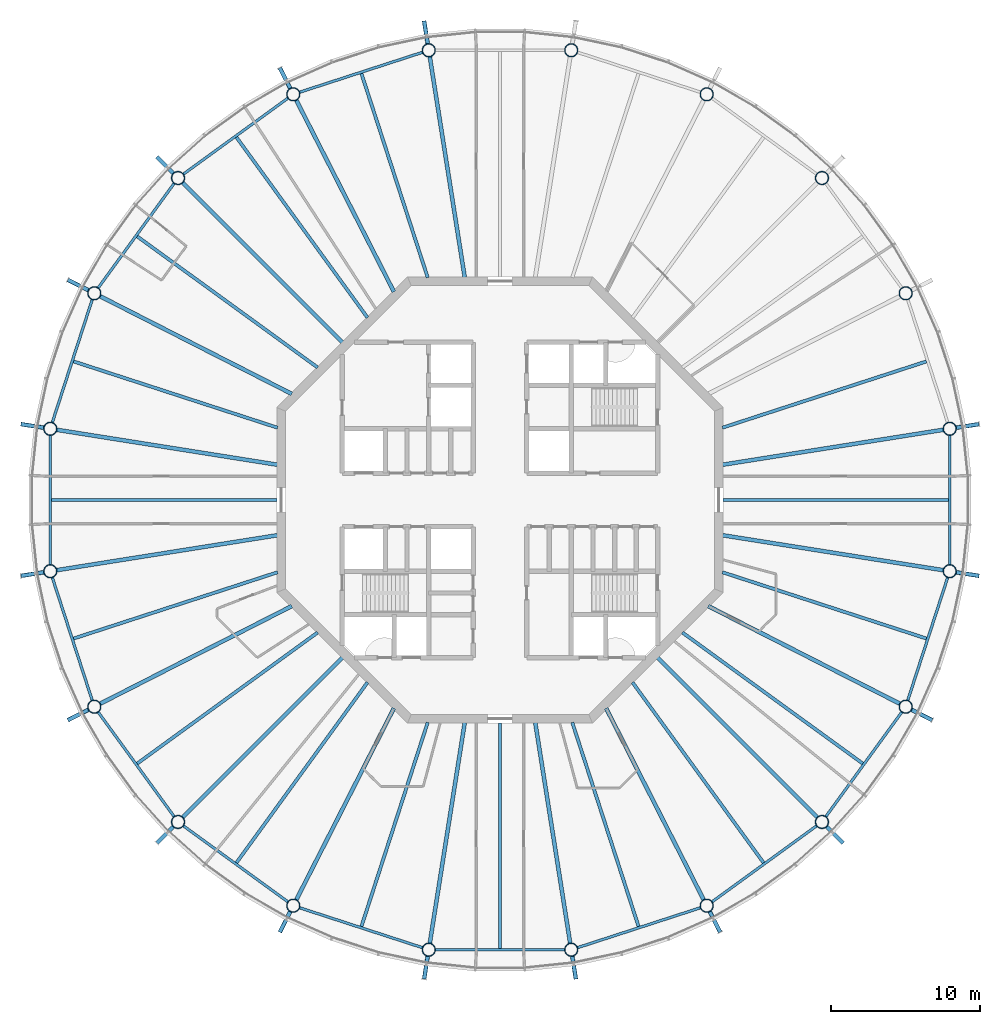
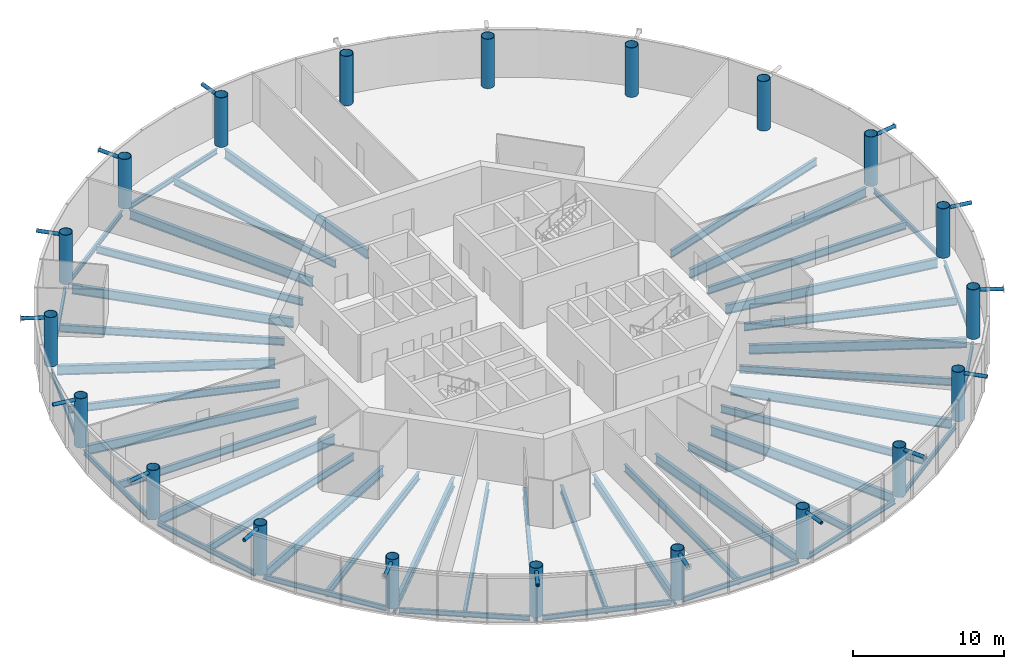
# One storey, part 1 of 19: 47 beams, 20 columns, 16 members.
"""IFC4 building model written with IfcOpenShell, lengths in metres."""

from ifc_helpers import new_model, si_unit, direction, frame, origin, origin_2d, place, context, subcontext, project, spatial, circle, hollow_circle, i_section, extrude, material, material_profile, profile_set, type_object, element, save


model = new_model("IFC4")

# Units and contexts
model_context = context("Model", 3, precision=1e-05, world=origin(), true_north=direction((0.0, 1.0)))
body_context = subcontext(model_context, "Body", "Model", "MODEL_VIEW")
ifc_project = project(units=[si_unit("LENGTHUNIT", "METRE"), si_unit("AREAUNIT", "SQUARE_METRE"), si_unit("VOLUMEUNIT", "CUBIC_METRE"), si_unit("PLANEANGLEUNIT", "RADIAN"), si_unit("MASSUNIT", "GRAM", prefix="KILO")], contexts=[model_context])

# Site, building, storey
site_placement = place(None, origin())
site = spatial("IfcSite", under=ifc_project, at=site_placement, CompositionType="ELEMENT")
building_placement = place(site_placement, origin())
building = spatial("IfcBuilding", under=site, at=building_placement, Name="Entoto Ring Tower", CompositionType="ELEMENT")
storey_placement = place(building_placement, frame((0.0, 0.0, 368.0)))
storey = spatial("IfcBuildingStorey", under=building, at=storey_placement, Name="L85", CompositionType="ELEMENT", Elevation=368.0)

# Columns
ifc_material_1 = material(Name="Steel S355", Category="steel")
ifc_material_profile_1 = material_profile(ifc_material_1, hollow_circle(Radius=0.449951171875, WallThickness=0.0400390625, at=origin_2d()), Name="CHS 900 x 40")
ifc_material_2 = material(Name="Concrete C60/75", Category="concrete")
ifc_material_profile_2 = material_profile(ifc_material_2, circle(Radius=0.409912109375, at=origin_2d()), Name="Concrete C60/75 infill")
ifc_profile_set_1 = profile_set([ifc_material_profile_1, ifc_material_profile_2], Name="Steel S355")
column_type = type_object("IfcColumnType", Name="Ring column 900 x 40 concrete-filled tube", PredefinedType="COLUMN", material=ifc_profile_set_1)
for number, where, z_axis, x_axis, name in (
    (1, (120.22314453125, 84.786865234375, 0.0), (0.0, 0.0, 1.0), (1.0, 0.0, 0.0), "RC6 R01"),
    (2, (117.264892578125, 93.89208984375, 0.0), (0.0, 0.0, 1.0), (1.0, 0.0, 0.0), "RC6 R02"),
    (3, (111.637451171875, 101.637451171875, 0.0), (0.0, 0.0, 1.0), (1.0, 0.0, 0.0), "RC6 R03"),
    (4, (103.89208984375, 107.264892578125, 0.0), (0.0, 0.0, 1.0), (1.0, 0.0, 0.0), "RC6 R04"),
    (5, (94.786865234375, 110.22314453125, 0.0), (0.0, 0.0, 1.0), (1.0, 0.0, 0.0), "RC6 R05"),
    (6, (85.213134765625, 110.22314453125, 0.0), (0.0, 0.0, 1.0), (1.0, 0.0, 0.0), "RC6 R06"),
    (7, (76.10791015625, 107.264892578125, 0.0), (0.0, 0.0, 1.0), (1.0, 0.0, 0.0), "RC6 R07"),
    (8, (68.362548828125, 101.637451171875, 0.0), (0.0, 0.0, 1.0), (1.0, 0.0, 0.0), "RC6 R08"),
    (9, (62.735107421875, 93.89208984375, 0.0), (0.0, 0.0, 1.0), (1.0, 0.0, 0.0), "RC6 R09"),
    (10, (59.77685546875, 84.786865234375, 0.0), (0.0, 0.0, 1.0), (1.0, 0.0, 0.0), "RC6 R10"),
    (11, (59.77685546875, 75.213134765625, 0.0), (0.0, 0.0, 1.0), (1.0, 0.0, 0.0), "RC6 R11"),
    (12, (62.735107421875, 66.10791015625, 0.0), (0.0, 0.0, 1.0), (1.0, 0.0, 0.0), "RC6 R12"),
    (13, (68.362548828125, 58.362548828125, 0.0), (0.0, 0.0, 1.0), (1.0, 0.0, 0.0), "RC6 R13"),
    (14, (76.10791015625, 52.735107421875, 0.0), (0.0, 0.0, 1.0), (1.0, 0.0, 0.0), "RC6 R14"),
    (15, (85.213134765625, 49.77685546875, 0.0), (0.0, 0.0, 1.0), (1.0, 0.0, 0.0), "RC6 R15"),
    (16, (94.786865234375, 49.77685546875, 0.0), (0.0, 0.0, 1.0), (1.0, 0.0, 0.0), "RC6 R16"),
    (17, (103.89208984375, 52.735107421875, 0.0), (0.0, 0.0, 1.0), (1.0, 0.0, 0.0), "RC6 R17"),
    (18, (111.637451171875, 58.362548828125, 0.0), (0.0, 0.0, 1.0), (1.0, 0.0, 0.0), "RC6 R18"),
    (19, (117.264892578125, 66.10791015625, 0.0), (0.0, 0.0, 1.0), (1.0, 0.0, 0.0), "RC6 R19"),
    (20, (120.22314453125, 75.213134765625, 0.0), (0.0, 0.0, 1.0), (1.0, 0.0, 0.0), "RC6 R20"),
):
    element("IfcColumn", number, at=place(storey_placement, frame(where, z_axis=z_axis, x_axis=x_axis)), inside=storey, type_object=column_type, Name=name, PredefinedType="COLUMN", context=body_context, shape_type="SweptSolid", body=[
        extrude(hollow_circle(Radius=0.449951171875, WallThickness=0.0400390625, at=origin_2d()), origin(), (0.0, 0.0, 1.0), 4.0),
    ])

# Members
ifc_material_3 = material(Name="Steel S355", Category="steel")
ifc_material_profile_3 = material_profile(ifc_material_3, hollow_circle(Radius=0.136474609375, WallThickness=0.012451171875, at=origin_2d()), Name="CHS 273 x 12.5")
ifc_material_4 = material(Name="Concrete C60/75", Category="concrete")
ifc_material_profile_4 = material_profile(ifc_material_4, circle(Radius=0.1240234375, at=origin_2d()), Name="Concrete C60/75 infill")
ifc_profile_set_2 = profile_set([ifc_material_profile_3, ifc_material_profile_4], Name="Steel S355")
member_type = type_object("IfcMemberType", Name="Diagrid node strut 273 x 12.5", PredefinedType="STRUT", material=ifc_profile_set_2)
for number, where, z_axis, x_axis, name in (
    (21, (85.149169921875, 110.626953125, 3.71337890625), (-0.156482501672, 0.987680731143, 0.0), (-0.987680731143, -0.156482501672, 0.0), "DS2 strut ring 27 05"),
    (22, (75.92236328125, 107.62890625, 3.71337890625), (-0.453951061104, 0.891026618078, 0.0), (-0.891026618078, -0.453951061104, 0.0), "DS2 strut ring 27 06"),
    (23, (68.073486328125, 101.926513671875, 3.71337890625), (-0.707106781187, 0.707106781187, 0.0), (-0.707106781187, -0.707106781187, 0.0), "DS2 strut ring 27 07"),
    (24, (62.37109375, 94.07763671875, 3.71337890625), (-0.891026618078, 0.453951061104, 0.0), (-0.453951061104, -0.891026618078, 0.0), "DS2 strut ring 27 08"),
    (25, (59.373046875, 84.850830078125, 3.71337890625), (-0.987680731143, 0.156482501672, 0.0), (-0.156482501672, -0.987680731143, 0.0), "DS2 strut ring 27 09"),
    (26, (59.373046875, 75.149169921875, 3.71337890625), (-0.987680731143, -0.156482501672, 0.0), (0.156482501672, -0.987680731143, 0.0), "DS2 strut ring 27 10"),
    (27, (62.37109375, 65.92236328125, 3.71337890625), (-0.891026618078, -0.453951061104, 0.0), (0.453951061104, -0.891026618078, 0.0), "DS2 strut ring 27 11"),
    (28, (68.073486328125, 58.073486328125, 3.71337890625), (-0.707106781187, -0.707106781187, 0.0), (0.707106781187, -0.707106781187, 0.0), "DS2 strut ring 27 12"),
    (29, (75.92236328125, 52.37109375, 3.71337890625), (-0.453951061104, -0.891026618078, 0.0), (0.891026618078, -0.453951061104, 0.0), "DS2 strut ring 27 13"),
    (30, (85.149169921875, 49.373046875, 3.71337890625), (-0.156482501672, -0.987680731143, 0.0), (0.987680731143, -0.156482501672, 0.0), "DS2 strut ring 27 14"),
    (31, (94.850830078125, 49.373046875, 3.71337890625), (0.156482501672, -0.987680731143, 0.0), (0.987680731143, 0.156482501672, 0.0), "DS2 strut ring 27 15"),
    (32, (104.07763671875, 52.37109375, 3.71337890625), (0.453951061104, -0.891026618078, 0.0), (0.891026618078, 0.453951061104, 0.0), "DS2 strut ring 27 16"),
    (33, (111.926513671875, 58.073486328125, 3.71337890625), (0.707106781187, -0.707106781187, 0.0), (0.707106781187, 0.707106781187, 0.0), "DS2 strut ring 27 17"),
    (34, (117.62890625, 65.92236328125, 3.71337890625), (0.891026618078, -0.453951061104, 0.0), (0.453951061104, 0.891026618078, 0.0), "DS2 strut ring 27 18"),
    (35, (120.626953125, 75.149169921875, 3.71337890625), (0.987680731143, -0.156482501672, 0.0), (0.156482501672, 0.987680731143, 0.0), "DS2 strut ring 27 19"),
    (36, (120.626953125, 84.850830078125, 3.71337890625), (0.987680731143, 0.156482501672, 0.0), (-0.156482501672, 0.987680731143, 0.0), "DS2 strut ring 27 20"),
):
    element("IfcMember", number, at=place(storey_placement, frame(where, z_axis=z_axis, x_axis=x_axis)), inside=storey, type_object=member_type, Name=name, PredefinedType="STRUT", context=body_context, shape_type="SweptSolid", body=[
        extrude(hollow_circle(Radius=0.136474609375, WallThickness=0.012451171875, at=origin_2d()), origin(), (0.0, 0.0, 1.0), 1.59130859375),
    ])

# Beams
ifc_material_5 = material(Name="Steel S355", Category="steel")
ifc_material_profile_5 = material_profile(ifc_material_5, i_section(OverallWidth=0.179931640625, OverallDepth=0.39990234375, WebThickness=0.008544921875, FlangeThickness=0.013427734375, FilletRadius=0.02099609375, at=origin_2d()), Name="IPE 400")
ifc_profile_set_3 = profile_set([ifc_material_profile_5], Name="Steel S355")
beam_type_1 = type_object("IfcBeamType", Name="Edge beam IPE 400", PredefinedType="SPANDREL", material=ifc_profile_set_3)
beam_1_placement = place(storey_placement, frame((84.812744140625, 110.09326171875, -0.35009765625), z_axis=(-0.951052147972, -0.309030438368, 0.0), x_axis=(0.309030438368, -0.951052147972, 0.0)))
element("IfcBeam", 37, at=beam_1_placement, inside=storey, type_object=beam_type_1, Name="Edge beam L85 06", PredefinedType="SPANDREL", context=body_context, shape_type="SweptSolid", body=[
    extrude(i_section(OverallWidth=0.179931640625, OverallDepth=0.39990234375, WebThickness=0.008544921875, FlangeThickness=0.013427734375, FilletRadius=0.02099609375, at=origin_2d()), origin(), (0.0, 0.0, 1.0), 8.732177734375),
])
for number, where, z_axis, x_axis, name in (
    (38, (75.767333984375, 107.017333984375, -0.35009765625), (-0.80901045354, -0.587794254874, 0.0), (0.587794254874, -0.80901045354, 0.0), "Edge beam L85 07"),
    (39, (68.115234375, 101.296875, -0.35009765625), (-0.587794254874, -0.80901045354, 0.0), (0.80901045354, -0.587794254874, 0.0), "Edge beam L85 08"),
):
    element("IfcBeam", number, at=place(storey_placement, frame(where, z_axis=z_axis, x_axis=x_axis)), inside=storey, type_object=beam_type_1, Name=name, PredefinedType="SPANDREL", context=body_context, shape_type="SweptSolid", body=[
        extrude(i_section(OverallWidth=0.179931640625, OverallDepth=0.39990234375, WebThickness=0.008544921875, FlangeThickness=0.013427734375, FilletRadius=0.02099609375, at=origin_2d()), origin(), (0.0, 0.0, 1.0), 8.73193359375),
    ])
beam_2_placement = place(storey_placement, frame((62.605224609375, 93.491943359375, -0.35009765625), z_axis=(-0.309030438368, -0.951052147972, 0.0), x_axis=(0.951052147972, -0.309030438368, 0.0)))
element("IfcBeam", 40, at=beam_2_placement, inside=storey, type_object=beam_type_1, Name="Edge beam L85 09", PredefinedType="SPANDREL", context=body_context, shape_type="SweptSolid", body=[
    extrude(i_section(OverallWidth=0.179931640625, OverallDepth=0.39990234375, WebThickness=0.008544921875, FlangeThickness=0.013427734375, FilletRadius=0.02099609375, at=origin_2d()), origin(), (0.0, 0.0, 1.0), 8.732177734375),
])
beam_3_placement = place(storey_placement, frame((59.77685546875, 84.365966796875, -0.35009765625), z_axis=(0.0, -1.0, 0.0), x_axis=(1.0, 0.0, 0.0)))
element("IfcBeam", 41, at=beam_3_placement, inside=storey, type_object=beam_type_1, Name="Edge beam L85 10", PredefinedType="SPANDREL", context=body_context, shape_type="SweptSolid", body=[
    extrude(i_section(OverallWidth=0.179931640625, OverallDepth=0.39990234375, WebThickness=0.008544921875, FlangeThickness=0.013427734375, FilletRadius=0.02099609375, at=origin_2d()), origin(), (0.0, 0.0, 1.0), 8.73193359375),
])
beam_4_placement = place(storey_placement, frame((59.90673828125, 74.812744140625, -0.35009765625), z_axis=(0.309030438368, -0.951052147972, 0.0), x_axis=(0.951052147972, 0.309030438368, 0.0)))
element("IfcBeam", 42, at=beam_4_placement, inside=storey, type_object=beam_type_1, Name="Edge beam L85 11", PredefinedType="SPANDREL", context=body_context, shape_type="SweptSolid", body=[
    extrude(i_section(OverallWidth=0.179931640625, OverallDepth=0.39990234375, WebThickness=0.008544921875, FlangeThickness=0.013427734375, FilletRadius=0.02099609375, at=origin_2d()), origin(), (0.0, 0.0, 1.0), 8.732177734375),
])
for number, where, z_axis, x_axis, name in (
    (43, (62.982666015625, 65.767333984375, -0.35009765625), (0.587794254874, -0.80901045354, 0.0), (0.80901045354, 0.587794254874, 0.0), "Edge beam L85 12"),
    (44, (68.703125, 58.115234375, -0.35009765625), (0.80901045354, -0.587794254874, 0.0), (0.587794254874, 0.80901045354, 0.0), "Edge beam L85 13"),
):
    element("IfcBeam", number, at=place(storey_placement, frame(where, z_axis=z_axis, x_axis=x_axis)), inside=storey, type_object=beam_type_1, Name=name, PredefinedType="SPANDREL", context=body_context, shape_type="SweptSolid", body=[
        extrude(i_section(OverallWidth=0.179931640625, OverallDepth=0.39990234375, WebThickness=0.008544921875, FlangeThickness=0.013427734375, FilletRadius=0.02099609375, at=origin_2d()), origin(), (0.0, 0.0, 1.0), 8.73193359375),
    ])
beam_5_placement = place(storey_placement, frame((76.508056640625, 52.605224609375, -0.35009765625), z_axis=(0.951052147972, -0.309030438368, 0.0), x_axis=(0.309030438368, 0.951052147972, 0.0)))
element("IfcBeam", 45, at=beam_5_placement, inside=storey, type_object=beam_type_1, Name="Edge beam L85 14", PredefinedType="SPANDREL", context=body_context, shape_type="SweptSolid", body=[
    extrude(i_section(OverallWidth=0.179931640625, OverallDepth=0.39990234375, WebThickness=0.008544921875, FlangeThickness=0.013427734375, FilletRadius=0.02099609375, at=origin_2d()), origin(), (0.0, 0.0, 1.0), 8.732177734375),
])
beam_6_placement = place(storey_placement, frame((85.634033203125, 49.77685546875, -0.35009765625), z_axis=(1.0, 0.0, 0.0), x_axis=(0.0, 1.0, 0.0)))
element("IfcBeam", 46, at=beam_6_placement, inside=storey, type_object=beam_type_1, Name="Edge beam L85 15", PredefinedType="SPANDREL", context=body_context, shape_type="SweptSolid", body=[
    extrude(i_section(OverallWidth=0.179931640625, OverallDepth=0.39990234375, WebThickness=0.008544921875, FlangeThickness=0.013427734375, FilletRadius=0.02099609375, at=origin_2d()), origin(), (0.0, 0.0, 1.0), 8.73193359375),
])
beam_7_placement = place(storey_placement, frame((95.187255859375, 49.90673828125, -0.35009765625), z_axis=(0.951052147972, 0.309030438368, 0.0), x_axis=(-0.309030438368, 0.951052147972, 0.0)))
element("IfcBeam", 47, at=beam_7_placement, inside=storey, type_object=beam_type_1, Name="Edge beam L85 16", PredefinedType="SPANDREL", context=body_context, shape_type="SweptSolid", body=[
    extrude(i_section(OverallWidth=0.179931640625, OverallDepth=0.39990234375, WebThickness=0.008544921875, FlangeThickness=0.013427734375, FilletRadius=0.02099609375, at=origin_2d()), origin(), (0.0, 0.0, 1.0), 8.732177734375),
])
for number, where, z_axis, x_axis, name in (
    (48, (104.232666015625, 52.982666015625, -0.35009765625), (0.80901045354, 0.587794254874, 0.0), (-0.587794254874, 0.80901045354, 0.0), "Edge beam L85 17"),
    (49, (111.884765625, 58.703125, -0.35009765625), (0.587794254874, 0.80901045354, 0.0), (-0.80901045354, 0.587794254874, 0.0), "Edge beam L85 18"),
):
    element("IfcBeam", number, at=place(storey_placement, frame(where, z_axis=z_axis, x_axis=x_axis)), inside=storey, type_object=beam_type_1, Name=name, PredefinedType="SPANDREL", context=body_context, shape_type="SweptSolid", body=[
        extrude(i_section(OverallWidth=0.179931640625, OverallDepth=0.39990234375, WebThickness=0.008544921875, FlangeThickness=0.013427734375, FilletRadius=0.02099609375, at=origin_2d()), origin(), (0.0, 0.0, 1.0), 8.73193359375),
    ])
beam_8_placement = place(storey_placement, frame((117.394775390625, 66.508056640625, -0.35009765625), z_axis=(0.309030438368, 0.951052147972, 0.0), x_axis=(-0.951052147972, 0.309030438368, 0.0)))
element("IfcBeam", 50, at=beam_8_placement, inside=storey, type_object=beam_type_1, Name="Edge beam L85 19", PredefinedType="SPANDREL", context=body_context, shape_type="SweptSolid", body=[
    extrude(i_section(OverallWidth=0.179931640625, OverallDepth=0.39990234375, WebThickness=0.008544921875, FlangeThickness=0.013427734375, FilletRadius=0.02099609375, at=origin_2d()), origin(), (0.0, 0.0, 1.0), 8.732177734375),
])
beam_9_placement = place(storey_placement, frame((120.22314453125, 75.634033203125, -0.35009765625), z_axis=(0.0, 1.0, 0.0), x_axis=(-1.0, 0.0, 0.0)))
element("IfcBeam", 51, at=beam_9_placement, inside=storey, type_object=beam_type_1, Name="Edge beam L85 20", PredefinedType="SPANDREL", context=body_context, shape_type="SweptSolid", body=[
    extrude(i_section(OverallWidth=0.179931640625, OverallDepth=0.39990234375, WebThickness=0.008544921875, FlangeThickness=0.013427734375, FilletRadius=0.02099609375, at=origin_2d()), origin(), (0.0, 0.0, 1.0), 8.73193359375),
])
ifc_material_6 = material(Name="Steel S355", Category="steel")
ifc_material_profile_6 = material_profile(ifc_material_6, i_section(OverallWidth=0.262939453125, OverallDepth=0.7529296875, WebThickness=0.011474609375, FlangeThickness=0.01708984375, FilletRadius=0.01708984375, at=origin_2d()), Name="IPE 750 x 137")
ifc_profile_set_4 = profile_set([ifc_material_profile_6], Name="Steel S355")
beam_type_2 = type_object("IfcBeamType", Name="Primary floor beam IPE 750 x 137", PredefinedType="BEAM", material=ifc_profile_set_4)
for number, where, z_axis, x_axis, name in (
    (52, (104.959716796875, 82.369384765625, -0.526611328125), (0.987688638122, 0.156432586517, 0.0), (-0.156432586517, 0.987688638122, 0.0), "Primary L85 R01"),
    (53, (87.630615234375, 94.959716796875, -0.526611328125), (-0.156432586517, 0.987688638122, 0.0), (-0.987688638122, -0.156432586517, 0.0), "Primary L85 R06"),
):
    element("IfcBeam", number, at=place(storey_placement, frame(where, z_axis=z_axis, x_axis=x_axis)), inside=storey, type_object=beam_type_2, Name=name, PredefinedType="BEAM", context=body_context, shape_type="SweptSolid", body=[
        extrude(i_section(OverallWidth=0.262939453125, OverallDepth=0.7529296875, WebThickness=0.011474609375, FlangeThickness=0.01708984375, FilletRadius=0.01708984375, at=origin_2d()), origin(), (0.0, 0.0, 1.0), 15.04345703125),
    ])
beam_10_placement = place(storey_placement, frame((82.8681640625, 93.9970703125, -0.526611328125), z_axis=(-0.453991952968, 0.89100578373, 0.0), x_axis=(-0.89100578373, -0.453991952968, 0.0)))
element("IfcBeam", 54, at=beam_10_placement, inside=storey, type_object=beam_type_2, Name="Primary L85 R07", PredefinedType="BEAM", context=body_context, shape_type="SweptSolid", body=[
    extrude(i_section(OverallWidth=0.262939453125, OverallDepth=0.7529296875, WebThickness=0.011474609375, FlangeThickness=0.01708984375, FilletRadius=0.01708984375, at=origin_2d()), origin(), (0.0, 0.0, 1.0), 14.48046875),
])
beam_11_placement = place(storey_placement, frame((79.407470703125, 90.592529296875, -0.526611328125), z_axis=(-0.707106781187, 0.707106781187, 0.0), x_axis=(-0.707106781187, -0.707106781187, 0.0)))
element("IfcBeam", 55, at=beam_11_placement, inside=storey, type_object=beam_type_2, Name="Primary L85 R08", PredefinedType="BEAM", context=body_context, shape_type="SweptSolid", body=[
    extrude(i_section(OverallWidth=0.262939453125, OverallDepth=0.7529296875, WebThickness=0.011474609375, FlangeThickness=0.01708984375, FilletRadius=0.01708984375, at=origin_2d()), origin(), (0.0, 0.0, 1.0), 15.209716796875),
])
beam_12_placement = place(storey_placement, frame((76.0029296875, 87.1318359375, -0.526611328125), z_axis=(-0.89100578373, 0.453991952968, 0.0), x_axis=(-0.453991952968, -0.89100578373, 0.0)))
element("IfcBeam", 56, at=beam_12_placement, inside=storey, type_object=beam_type_2, Name="Primary L85 R09", PredefinedType="BEAM", context=body_context, shape_type="SweptSolid", body=[
    extrude(i_section(OverallWidth=0.262939453125, OverallDepth=0.7529296875, WebThickness=0.011474609375, FlangeThickness=0.01708984375, FilletRadius=0.01708984375, at=origin_2d()), origin(), (0.0, 0.0, 1.0), 14.48046875),
])
for number, where, z_axis, x_axis, name in (
    (57, (75.040283203125, 82.369384765625, -0.526611328125), (-0.987688638122, 0.156432586517, 0.0), (-0.156432586517, -0.987688638122, 0.0), "Primary L85 R10"),
    (58, (75.040283203125, 77.630615234375, -0.526611328125), (-0.987688638122, -0.156432586517, 0.0), (0.156432586517, -0.987688638122, 0.0), "Primary L85 R11"),
):
    element("IfcBeam", number, at=place(storey_placement, frame(where, z_axis=z_axis, x_axis=x_axis)), inside=storey, type_object=beam_type_2, Name=name, PredefinedType="BEAM", context=body_context, shape_type="SweptSolid", body=[
        extrude(i_section(OverallWidth=0.262939453125, OverallDepth=0.7529296875, WebThickness=0.011474609375, FlangeThickness=0.01708984375, FilletRadius=0.01708984375, at=origin_2d()), origin(), (0.0, 0.0, 1.0), 15.04345703125),
    ])
beam_13_placement = place(storey_placement, frame((76.0029296875, 72.8681640625, -0.526611328125), z_axis=(-0.89100578373, -0.453991952968, 0.0), x_axis=(0.453991952968, -0.89100578373, 0.0)))
element("IfcBeam", 59, at=beam_13_placement, inside=storey, type_object=beam_type_2, Name="Primary L85 R12", PredefinedType="BEAM", context=body_context, shape_type="SweptSolid", body=[
    extrude(i_section(OverallWidth=0.262939453125, OverallDepth=0.7529296875, WebThickness=0.011474609375, FlangeThickness=0.01708984375, FilletRadius=0.01708984375, at=origin_2d()), origin(), (0.0, 0.0, 1.0), 14.48046875),
])
beam_14_placement = place(storey_placement, frame((79.407470703125, 69.407470703125, -0.526611328125), z_axis=(-0.707106781187, -0.707106781187, 0.0), x_axis=(0.707106781187, -0.707106781187, 0.0)))
element("IfcBeam", 60, at=beam_14_placement, inside=storey, type_object=beam_type_2, Name="Primary L85 R13", PredefinedType="BEAM", context=body_context, shape_type="SweptSolid", body=[
    extrude(i_section(OverallWidth=0.262939453125, OverallDepth=0.7529296875, WebThickness=0.011474609375, FlangeThickness=0.01708984375, FilletRadius=0.01708984375, at=origin_2d()), origin(), (0.0, 0.0, 1.0), 15.209716796875),
])
beam_15_placement = place(storey_placement, frame((82.8681640625, 66.0029296875, -0.526611328125), z_axis=(-0.453991952968, -0.89100578373, 0.0), x_axis=(0.89100578373, -0.453991952968, 0.0)))
element("IfcBeam", 61, at=beam_15_placement, inside=storey, type_object=beam_type_2, Name="Primary L85 R14", PredefinedType="BEAM", context=body_context, shape_type="SweptSolid", body=[
    extrude(i_section(OverallWidth=0.262939453125, OverallDepth=0.7529296875, WebThickness=0.011474609375, FlangeThickness=0.01708984375, FilletRadius=0.01708984375, at=origin_2d()), origin(), (0.0, 0.0, 1.0), 14.48046875),
])
for number, where, z_axis, x_axis, name in (
    (62, (87.630615234375, 65.040283203125, -0.526611328125), (-0.156432586517, -0.987688638122, 0.0), (0.987688638122, -0.156432586517, 0.0), "Primary L85 R15"),
    (63, (92.369384765625, 65.040283203125, -0.526611328125), (0.156432586517, -0.987688638122, 0.0), (0.987688638122, 0.156432586517, 0.0), "Primary L85 R16"),
):
    element("IfcBeam", number, at=place(storey_placement, frame(where, z_axis=z_axis, x_axis=x_axis)), inside=storey, type_object=beam_type_2, Name=name, PredefinedType="BEAM", context=body_context, shape_type="SweptSolid", body=[
        extrude(i_section(OverallWidth=0.262939453125, OverallDepth=0.7529296875, WebThickness=0.011474609375, FlangeThickness=0.01708984375, FilletRadius=0.01708984375, at=origin_2d()), origin(), (0.0, 0.0, 1.0), 15.04345703125),
    ])
beam_16_placement = place(storey_placement, frame((97.1318359375, 66.0029296875, -0.526611328125), z_axis=(0.453991952968, -0.89100578373, 0.0), x_axis=(0.89100578373, 0.453991952968, 0.0)))
element("IfcBeam", 64, at=beam_16_placement, inside=storey, type_object=beam_type_2, Name="Primary L85 R17", PredefinedType="BEAM", context=body_context, shape_type="SweptSolid", body=[
    extrude(i_section(OverallWidth=0.262939453125, OverallDepth=0.7529296875, WebThickness=0.011474609375, FlangeThickness=0.01708984375, FilletRadius=0.01708984375, at=origin_2d()), origin(), (0.0, 0.0, 1.0), 14.48046875),
])
beam_17_placement = place(storey_placement, frame((100.592529296875, 69.407470703125, -0.526611328125), z_axis=(0.707106781187, -0.707106781187, 0.0), x_axis=(0.707106781187, 0.707106781187, 0.0)))
element("IfcBeam", 65, at=beam_17_placement, inside=storey, type_object=beam_type_2, Name="Primary L85 R18", PredefinedType="BEAM", context=body_context, shape_type="SweptSolid", body=[
    extrude(i_section(OverallWidth=0.262939453125, OverallDepth=0.7529296875, WebThickness=0.011474609375, FlangeThickness=0.01708984375, FilletRadius=0.01708984375, at=origin_2d()), origin(), (0.0, 0.0, 1.0), 15.209716796875),
])
beam_18_placement = place(storey_placement, frame((103.9970703125, 72.8681640625, -0.526611328125), z_axis=(0.89100578373, -0.453991952968, 0.0), x_axis=(0.453991952968, 0.89100578373, 0.0)))
element("IfcBeam", 66, at=beam_18_placement, inside=storey, type_object=beam_type_2, Name="Primary L85 R19", PredefinedType="BEAM", context=body_context, shape_type="SweptSolid", body=[
    extrude(i_section(OverallWidth=0.262939453125, OverallDepth=0.7529296875, WebThickness=0.011474609375, FlangeThickness=0.01708984375, FilletRadius=0.01708984375, at=origin_2d()), origin(), (0.0, 0.0, 1.0), 14.48046875),
])
beam_19_placement = place(storey_placement, frame((104.959716796875, 77.630615234375, -0.526611328125), z_axis=(0.987688638122, -0.156432586517, 0.0), x_axis=(0.156432586517, 0.987688638122, 0.0)))
element("IfcBeam", 67, at=beam_19_placement, inside=storey, type_object=beam_type_2, Name="Primary L85 R20", PredefinedType="BEAM", context=body_context, shape_type="SweptSolid", body=[
    extrude(i_section(OverallWidth=0.262939453125, OverallDepth=0.7529296875, WebThickness=0.011474609375, FlangeThickness=0.01708984375, FilletRadius=0.01708984375, at=origin_2d()), origin(), (0.0, 0.0, 1.0), 15.04345703125),
])
ifc_material_7 = material(Name="Steel S355", Category="steel")
ifc_material_profile_7 = material_profile(ifc_material_7, i_section(OverallWidth=0.219970703125, OverallDepth=0.60009765625, WebThickness=0.011962890625, FlangeThickness=0.01904296875, FilletRadius=0.02392578125, at=origin_2d()), Name="IPE 600")
ifc_profile_set_5 = profile_set([ifc_material_profile_7], Name="Steel S355")
beam_type_3 = type_object("IfcBeamType", Name="Secondary floor beam IPE 600", PredefinedType="JOIST", material=ifc_profile_set_5)
for number, where, z_axis, x_axis, name in (
    (68, (104.947021484375, 84.856689453125, -0.449951171875), (0.951057212949, 0.309014850288, 0.0), (-0.309014850288, 0.951057212949, 0.0), "Secondary beam L85 01"),
    (69, (85.143310546875, 94.947021484375, -0.449951171875), (-0.309014850288, 0.951057212949, 0.0), (-0.951057212949, -0.309014850288, 0.0), "Secondary beam L85 06"),
):
    element("IfcBeam", number, at=place(storey_placement, frame(where, z_axis=z_axis, x_axis=x_axis)), inside=storey, type_object=beam_type_3, Name=name, PredefinedType="JOIST", context=body_context, shape_type="SweptSolid", body=[
        extrude(i_section(OverallWidth=0.219970703125, OverallDepth=0.60009765625, WebThickness=0.011962890625, FlangeThickness=0.01904296875, FilletRadius=0.02392578125, at=origin_2d()), origin(), (0.0, 0.0, 1.0), 14.4169921875),
    ])
for number, where, z_axis, x_axis, name in (
    (70, (81.09521484375, 92.25634765625, -0.449951171875), (-0.587782163866, 0.809019238239, 0.0), (-0.809019238239, -0.587782163866, 0.0), "Secondary beam L85 07"),
    (71, (77.74365234375, 88.90478515625, -0.449951171875), (-0.809019238239, 0.587782163866, 0.0), (-0.587782163866, -0.809019238239, 0.0), "Secondary beam L85 08"),
):
    element("IfcBeam", number, at=place(storey_placement, frame(where, z_axis=z_axis, x_axis=x_axis)), inside=storey, type_object=beam_type_3, Name=name, PredefinedType="JOIST", context=body_context, shape_type="SweptSolid", body=[
        extrude(i_section(OverallWidth=0.219970703125, OverallDepth=0.60009765625, WebThickness=0.011962890625, FlangeThickness=0.01904296875, FilletRadius=0.02392578125, at=origin_2d()), origin(), (0.0, 0.0, 1.0), 14.983642578125),
    ])
beam_20_placement = place(storey_placement, frame((75.052978515625, 84.856689453125, -0.449951171875), z_axis=(-0.951057212949, 0.309014850288, 0.0), x_axis=(-0.309014850288, -0.951057212949, 0.0)))
element("IfcBeam", 72, at=beam_20_placement, inside=storey, type_object=beam_type_3, Name="Secondary beam L85 09", PredefinedType="JOIST", context=body_context, shape_type="SweptSolid", body=[
    extrude(i_section(OverallWidth=0.219970703125, OverallDepth=0.60009765625, WebThickness=0.011962890625, FlangeThickness=0.01904296875, FilletRadius=0.02392578125, at=origin_2d()), origin(), (0.0, 0.0, 1.0), 14.4169921875),
])
beam_21_placement = place(storey_placement, frame((75.02001953125, 80.0, -0.449951171875), z_axis=(-1.0, 0.0, 0.0), x_axis=(0.0, -1.0, 0.0)))
element("IfcBeam", 73, at=beam_21_placement, inside=storey, type_object=beam_type_3, Name="Secondary beam L85 10", PredefinedType="JOIST", context=body_context, shape_type="SweptSolid", body=[
    extrude(i_section(OverallWidth=0.219970703125, OverallDepth=0.60009765625, WebThickness=0.011962890625, FlangeThickness=0.01904296875, FilletRadius=0.02392578125, at=origin_2d()), origin(), (0.0, 0.0, 1.0), 15.1533203125),
])
beam_22_placement = place(storey_placement, frame((75.052978515625, 75.143310546875, -0.449951171875), z_axis=(-0.951057212949, -0.309014850288, 0.0), x_axis=(0.309014850288, -0.951057212949, 0.0)))
element("IfcBeam", 74, at=beam_22_placement, inside=storey, type_object=beam_type_3, Name="Secondary beam L85 11", PredefinedType="JOIST", context=body_context, shape_type="SweptSolid", body=[
    extrude(i_section(OverallWidth=0.219970703125, OverallDepth=0.60009765625, WebThickness=0.011962890625, FlangeThickness=0.01904296875, FilletRadius=0.02392578125, at=origin_2d()), origin(), (0.0, 0.0, 1.0), 14.4169921875),
])
for number, where, z_axis, x_axis, name in (
    (75, (77.74365234375, 71.09521484375, -0.449951171875), (-0.809019238239, -0.587782163866, 0.0), (0.587782163866, -0.809019238239, 0.0), "Secondary beam L85 12"),
    (76, (81.09521484375, 67.74365234375, -0.449951171875), (-0.587782163866, -0.809019238239, 0.0), (0.809019238239, -0.587782163866, 0.0), "Secondary beam L85 13"),
):
    element("IfcBeam", number, at=place(storey_placement, frame(where, z_axis=z_axis, x_axis=x_axis)), inside=storey, type_object=beam_type_3, Name=name, PredefinedType="JOIST", context=body_context, shape_type="SweptSolid", body=[
        extrude(i_section(OverallWidth=0.219970703125, OverallDepth=0.60009765625, WebThickness=0.011962890625, FlangeThickness=0.01904296875, FilletRadius=0.02392578125, at=origin_2d()), origin(), (0.0, 0.0, 1.0), 14.983642578125),
    ])
beam_23_placement = place(storey_placement, frame((85.143310546875, 65.052978515625, -0.449951171875), z_axis=(-0.309014850288, -0.951057212949, 0.0), x_axis=(0.951057212949, -0.309014850288, 0.0)))
element("IfcBeam", 77, at=beam_23_placement, inside=storey, type_object=beam_type_3, Name="Secondary beam L85 14", PredefinedType="JOIST", context=body_context, shape_type="SweptSolid", body=[
    extrude(i_section(OverallWidth=0.219970703125, OverallDepth=0.60009765625, WebThickness=0.011962890625, FlangeThickness=0.01904296875, FilletRadius=0.02392578125, at=origin_2d()), origin(), (0.0, 0.0, 1.0), 14.4169921875),
])
beam_24_placement = place(storey_placement, frame((90.0, 65.02001953125, -0.449951171875), z_axis=(0.0, -1.0, 0.0), x_axis=(1.0, 0.0, 0.0)))
element("IfcBeam", 78, at=beam_24_placement, inside=storey, type_object=beam_type_3, Name="Secondary beam L85 15", PredefinedType="JOIST", context=body_context, shape_type="SweptSolid", body=[
    extrude(i_section(OverallWidth=0.219970703125, OverallDepth=0.60009765625, WebThickness=0.011962890625, FlangeThickness=0.01904296875, FilletRadius=0.02392578125, at=origin_2d()), origin(), (0.0, 0.0, 1.0), 15.1533203125),
])
beam_25_placement = place(storey_placement, frame((94.856689453125, 65.052978515625, -0.449951171875), z_axis=(0.309014850288, -0.951057212949, 0.0), x_axis=(0.951057212949, 0.309014850288, 0.0)))
element("IfcBeam", 79, at=beam_25_placement, inside=storey, type_object=beam_type_3, Name="Secondary beam L85 16", PredefinedType="JOIST", context=body_context, shape_type="SweptSolid", body=[
    extrude(i_section(OverallWidth=0.219970703125, OverallDepth=0.60009765625, WebThickness=0.011962890625, FlangeThickness=0.01904296875, FilletRadius=0.02392578125, at=origin_2d()), origin(), (0.0, 0.0, 1.0), 14.4169921875),
])
for number, where, z_axis, x_axis, name in (
    (80, (98.90478515625, 67.74365234375, -0.449951171875), (0.587782163866, -0.809019238239, 0.0), (0.809019238239, 0.587782163866, 0.0), "Secondary beam L85 17"),
    (81, (102.25634765625, 71.09521484375, -0.449951171875), (0.809019238239, -0.587782163866, 0.0), (0.587782163866, 0.809019238239, 0.0), "Secondary beam L85 18"),
):
    element("IfcBeam", number, at=place(storey_placement, frame(where, z_axis=z_axis, x_axis=x_axis)), inside=storey, type_object=beam_type_3, Name=name, PredefinedType="JOIST", context=body_context, shape_type="SweptSolid", body=[
        extrude(i_section(OverallWidth=0.219970703125, OverallDepth=0.60009765625, WebThickness=0.011962890625, FlangeThickness=0.01904296875, FilletRadius=0.02392578125, at=origin_2d()), origin(), (0.0, 0.0, 1.0), 14.983642578125),
    ])
beam_26_placement = place(storey_placement, frame((104.947021484375, 75.143310546875, -0.449951171875), z_axis=(0.951057212949, -0.309014850288, 0.0), x_axis=(0.309014850288, 0.951057212949, 0.0)))
element("IfcBeam", 82, at=beam_26_placement, inside=storey, type_object=beam_type_3, Name="Secondary beam L85 19", PredefinedType="JOIST", context=body_context, shape_type="SweptSolid", body=[
    extrude(i_section(OverallWidth=0.219970703125, OverallDepth=0.60009765625, WebThickness=0.011962890625, FlangeThickness=0.01904296875, FilletRadius=0.02392578125, at=origin_2d()), origin(), (0.0, 0.0, 1.0), 14.4169921875),
])
beam_27_placement = place(storey_placement, frame((104.97998046875, 80.0, -0.449951171875), z_axis=(1.0, 0.0, 0.0), x_axis=(0.0, 1.0, 0.0)))
element("IfcBeam", 83, at=beam_27_placement, inside=storey, type_object=beam_type_3, Name="Secondary beam L85 20", PredefinedType="JOIST", context=body_context, shape_type="SweptSolid", body=[
    extrude(i_section(OverallWidth=0.219970703125, OverallDepth=0.60009765625, WebThickness=0.011962890625, FlangeThickness=0.01904296875, FilletRadius=0.02392578125, at=origin_2d()), origin(), (0.0, 0.0, 1.0), 15.1533203125),
])

save(model, "model.ifc")
